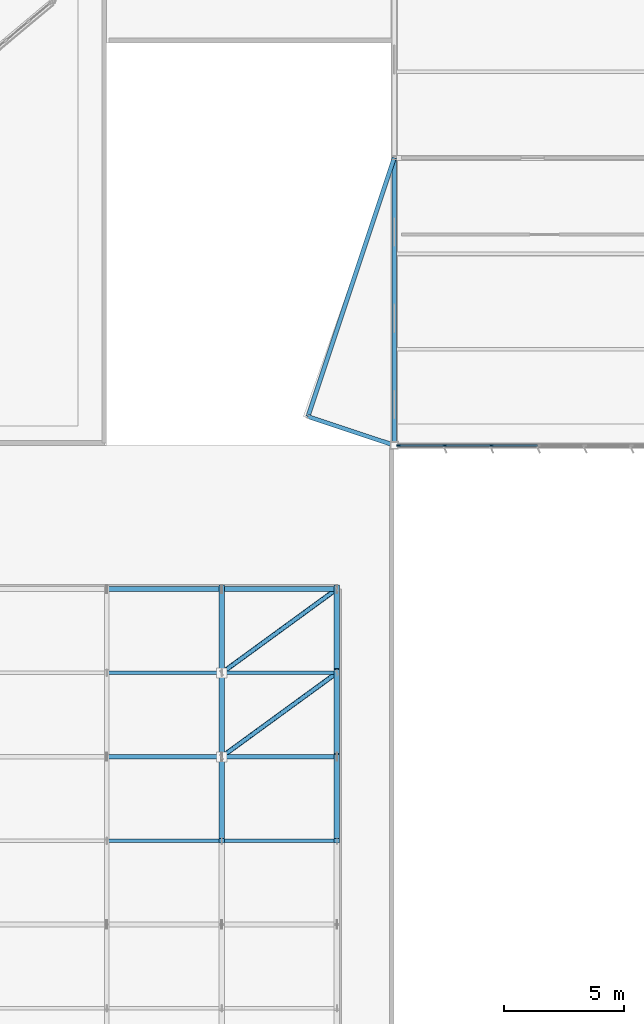
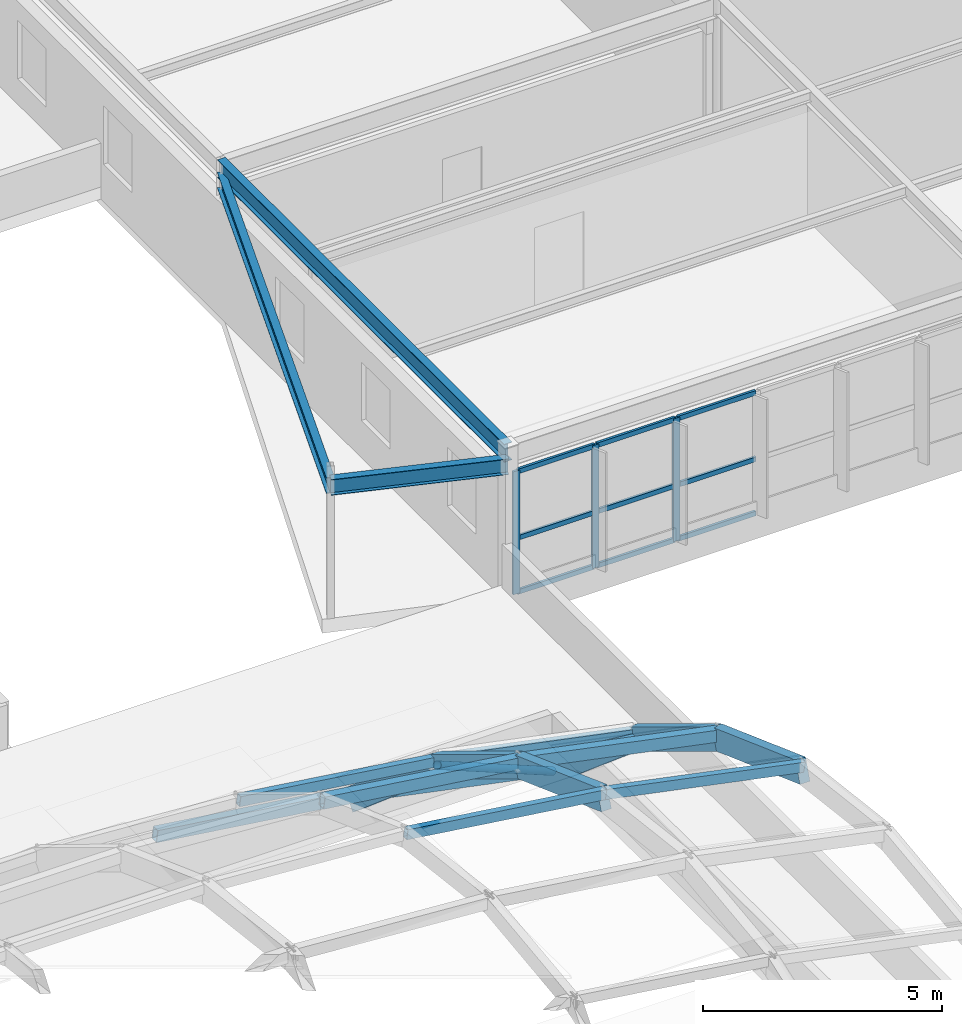
# One storey, part 61 of 128: 28 members, 3 beams, 1 element without a shape of its own.
"""IFC4 building model written with IfcOpenShell, lengths in metres."""

from ifc_helpers import new_model, si_unit, direction, frame, origin, origin_2d, place, context, subcontext, project, spatial, rectangle, hollow_rectangle, hollow_circle, i_section, extrude, material, layer, layer_set, material_profile, profile_set, type_object, element, aggregate, save


model = new_model("IFC4")

# Units and contexts
model_context = context("Model", 3, precision=1e-05, world=origin(), true_north=direction((0.0, 1.0)))
body_context = subcontext(model_context, "Body", "Model", "MODEL_VIEW")
ifc_project = project(units=[si_unit("LENGTHUNIT", "METRE"), si_unit("AREAUNIT", "SQUARE_METRE"), si_unit("VOLUMEUNIT", "CUBIC_METRE"), si_unit("PLANEANGLEUNIT", "RADIAN"), si_unit("MASSUNIT", "GRAM", prefix="KILO")], contexts=[model_context])

# Site, building, storey
site_placement = place(None, origin())
site = spatial("IfcSite", under=ifc_project, at=site_placement, CompositionType="ELEMENT")
building_placement = place(site_placement, origin())
building = spatial("IfcBuilding", under=site, at=building_placement, Name="Tarnwether General Hospital", CompositionType="ELEMENT")
storey_placement = place(building_placement, frame((0.0, 0.0, 14.39990234375)))
storey = spatial("IfcBuildingStorey", under=building, at=storey_placement, Name="L03", CompositionType="ELEMENT", Elevation=14.39990234375)

# Beams
ifc_material_1 = material(Name="Steel Grade 350 (350 MPa)", Category="steel")
ifc_material_profile_1 = material_profile(ifc_material_1, i_section(OverallWidth=0.18994140625, OverallDepth=0.45703125, WebThickness=0.009033203125, FlangeThickness=0.014404296875, at=origin_2d()), Name="460UB74.6")
ifc_profile_set_1 = profile_set([ifc_material_profile_1], Name="Steel Grade 350 (350 MPa)")
beam_type_1 = type_object("IfcBeamType", Name="BM-G09", PredefinedType="BEAM", material=ifc_profile_set_1)
beam_1_placement = place(storey_placement, frame((144.0, 81.60009765625, 3.671630859375), z_axis=(0.0, 1.0, 0.0), x_axis=(-1.0, 0.0, 0.0)))
element("IfcBeam", 1, at=beam_1_placement, inside=storey, type_object=beam_type_1, Name="Primary Girder BMG-L03-14400_8160-14400_9360-1764", PredefinedType="BEAM", context=body_context, shape_type="SweptSolid", body=[
    extrude(i_section(OverallWidth=0.18994140625, OverallDepth=0.45703125, WebThickness=0.009033203125, FlangeThickness=0.014404296875, at=origin_2d()), origin(), (0.0, 0.0, 1.0), 12.0),
])
ifc_material_2 = material(Name="Steel Grade 350 (350 MPa)", Category="steel")
ifc_material_profile_2 = material_profile(ifc_material_2, i_section(OverallWidth=0.177978515625, OverallDepth=0.403076171875, WebThickness=0.007568359375, FlangeThickness=0.010986328125, at=origin_2d()), Name="410UB53.7")
ifc_profile_set_2 = profile_set([ifc_material_profile_2], Name="Steel Grade 350 (350 MPa)")
beam_type_2 = type_object("IfcBeamType", Name="BM-SP2", PredefinedType="SPANDREL", material=ifc_profile_set_2)
beam_2_placement = place(storey_placement, frame((144.0, 81.60009765625, 3.358642578125), z_axis=(-0.948689731394, 0.316208465333, 0.0), x_axis=(-0.316208465333, -0.948689731394, 0.0)))
element("IfcBeam", 2, at=beam_2_placement, inside=storey, type_object=beam_type_2, Name="Forecourt North Shard Tie BMG-L03-14400_8160-14040_8280-2238", PredefinedType="SPANDREL", context=body_context, shape_type="SweptSolid", body=[
    extrude(i_section(OverallWidth=0.177978515625, OverallDepth=0.403076171875, WebThickness=0.007568359375, FlangeThickness=0.010986328125, at=origin_2d()), origin(), (0.0, 0.0, 1.0), 3.794921875),
])
beam_3_placement = place(storey_placement, frame((140.39990234375, 82.800048828125, 3.358642578125), z_axis=(0.316234199636, 0.948681153486, 0.0), x_axis=(-0.948681153486, 0.316234199636, 0.0)))
element("IfcBeam", 3, at=beam_3_placement, inside=storey, type_object=beam_type_2, Name="Forecourt North Shard Girder BMG-L03-14040_8280-14400_9360-2239", PredefinedType="SPANDREL", context=body_context, shape_type="SweptSolid", body=[
    extrude(i_section(OverallWidth=0.177978515625, OverallDepth=0.403076171875, WebThickness=0.007568359375, FlangeThickness=0.010986328125, at=origin_2d()), origin(), (0.0, 0.0, 1.0), 11.38427734375),
])

# Curtain wall, members
ifc_material_3 = material(Name="Anodised aluminium", Category="aluminium")
ifc_layer = layer(ifc_material_3, 0.159912109375)
ifc_layer_set = layer_set([ifc_layer], Name="Anodised aluminium")
curtain_wall_type = type_object("IfcCurtainWallType", Name="CW-17", PredefinedType="NOTDEFINED", material=ifc_layer_set)
curtain_wall_placement = place(storey_placement, origin())
curtain_wall = element("IfcCurtainWall", 4, at=curtain_wall_placement, inside=storey, type_object=curtain_wall_type, Name="Curtain Wall CWG-L03-1559_816-0487", PredefinedType="NOTDEFINED")
ifc_material_4 = material(Name="Anodised aluminium", Category="aluminium")
ifc_material_profile_3 = material_profile(ifc_material_4, rectangle(XDim=0.06005859375, YDim=0.159912109375, at=origin_2d()), Name="ALU-MUL-60x160")
ifc_profile_set_3 = profile_set([ifc_material_profile_3], Name="Anodised aluminium")
member_type_1 = type_object("IfcMemberType", Name="CW-ML1", PredefinedType="MULLION", material=ifc_profile_set_3)
member_1_placement = place(storey_placement, frame((148.056884765625, 81.60009765625, 0.0), z_axis=(0.0, 0.0, 1.0), x_axis=(0.0, -1.0, 0.0)))
member_1 = element("IfcMember", 5, at=member_1_placement, type_object=member_type_1, Name="CW-17 mullion 5", PredefinedType="MULLION", context=body_context, shape_type="SweptSolid", body=[
    extrude(rectangle(XDim=0.06005859375, YDim=0.159912109375, at=origin_2d()), origin(), (0.0, 0.0, 1.0), 3.14208984375),
])
member_2_placement = place(storey_placement, frame((146.107421875, 81.60009765625, 0.0), z_axis=(0.0, 0.0, 1.0), x_axis=(0.0, -1.0, 0.0)))
member_2 = element("IfcMember", 6, at=member_2_placement, type_object=member_type_1, Name="CW-17 mullion 6", PredefinedType="MULLION", context=body_context, shape_type="SweptSolid", body=[
    extrude(rectangle(XDim=0.06005859375, YDim=0.159912109375, at=origin_2d()), origin(), (0.0, 0.0, 1.0), 3.14208984375),
])
member_3_placement = place(storey_placement, frame((144.18798828125, 81.60009765625, 0.0), z_axis=(0.0, 0.0, 1.0), x_axis=(0.0, -1.0, 0.0)))
member_3 = element("IfcMember", 7, at=member_3_placement, type_object=member_type_1, Name="CW-17 mullion 7", PredefinedType="MULLION", context=body_context, shape_type="SweptSolid", body=[
    extrude(rectangle(XDim=0.06005859375, YDim=0.159912109375, at=origin_2d()), origin(), (0.0, 0.0, 1.0), 3.14208984375),
])
ifc_material_5 = material(Name="Anodised aluminium", Category="aluminium")
ifc_material_profile_4 = material_profile(ifc_material_5, rectangle(XDim=0.06005859375, YDim=0.1201171875, at=origin_2d()), Name="ALU-TRN-60x120")
ifc_profile_set_4 = profile_set([ifc_material_profile_4], Name="Anodised aluminium")
member_type_2 = type_object("IfcMemberType", Name="CW-TR1", PredefinedType="USERDEFINED", material=ifc_profile_set_4)
member_4_placement = place(storey_placement, frame((149.9765625, 81.60009765625, 0.030029296875), z_axis=(-1.0, 0.0, 0.0), x_axis=(0.0, -1.0, 0.0)))
member_4 = element("IfcMember", 8, at=member_4_placement, type_object=member_type_2, Name="CW-17 transom 4.1", ObjectType="TRANSOM", PredefinedType="USERDEFINED", context=body_context, shape_type="SweptSolid", body=[
    extrude(rectangle(XDim=0.06005859375, YDim=0.1201171875, at=origin_2d()), origin(), (0.0, 0.0, 1.0), 1.8896484375),
])
member_5_placement = place(storey_placement, frame((149.9765625, 81.60009765625, 1.4140625), z_axis=(-1.0, 0.0, 0.0), x_axis=(0.0, -1.0, 0.0)))
member_5 = element("IfcMember", 9, at=member_5_placement, type_object=member_type_2, Name="CW-17 transom 4.2", ObjectType="TRANSOM", PredefinedType="USERDEFINED", context=body_context, shape_type="SweptSolid", body=[
    extrude(rectangle(XDim=0.06005859375, YDim=0.1201171875, at=origin_2d()), origin(), (0.0, 0.0, 1.0), 1.8896484375),
])
member_6_placement = place(storey_placement, frame((149.9765625, 81.60009765625, 3.112060546875), z_axis=(-1.0, 0.0, 0.0), x_axis=(0.0, -1.0, 0.0)))
member_6 = element("IfcMember", 10, at=member_6_placement, type_object=member_type_2, Name="CW-17 transom 4.3", ObjectType="TRANSOM", PredefinedType="USERDEFINED", context=body_context, shape_type="SweptSolid", body=[
    extrude(rectangle(XDim=0.06005859375, YDim=0.1201171875, at=origin_2d()), origin(), (0.0, 0.0, 1.0), 1.8896484375),
])
member_7_placement = place(storey_placement, frame((148.027099609375, 81.60009765625, 0.030029296875), z_axis=(-1.0, 0.0, 0.0), x_axis=(0.0, -1.0, 0.0)))
member_7 = element("IfcMember", 11, at=member_7_placement, type_object=member_type_2, Name="CW-17 transom 5.1", ObjectType="TRANSOM", PredefinedType="USERDEFINED", context=body_context, shape_type="SweptSolid", body=[
    extrude(rectangle(XDim=0.06005859375, YDim=0.1201171875, at=origin_2d()), origin(), (0.0, 0.0, 1.0), 1.8896484375),
])
member_8_placement = place(storey_placement, frame((148.027099609375, 81.60009765625, 1.4140625), z_axis=(-1.0, 0.0, 0.0), x_axis=(0.0, -1.0, 0.0)))
member_8 = element("IfcMember", 12, at=member_8_placement, type_object=member_type_2, Name="CW-17 transom 5.2", ObjectType="TRANSOM", PredefinedType="USERDEFINED", context=body_context, shape_type="SweptSolid", body=[
    extrude(rectangle(XDim=0.06005859375, YDim=0.1201171875, at=origin_2d()), origin(), (0.0, 0.0, 1.0), 1.8896484375),
])
member_9_placement = place(storey_placement, frame((148.027099609375, 81.60009765625, 3.112060546875), z_axis=(-1.0, 0.0, 0.0), x_axis=(0.0, -1.0, 0.0)))
member_9 = element("IfcMember", 13, at=member_9_placement, type_object=member_type_2, Name="CW-17 transom 5.3", ObjectType="TRANSOM", PredefinedType="USERDEFINED", context=body_context, shape_type="SweptSolid", body=[
    extrude(rectangle(XDim=0.06005859375, YDim=0.1201171875, at=origin_2d()), origin(), (0.0, 0.0, 1.0), 1.8896484375),
])
member_10_placement = place(storey_placement, frame((146.077392578125, 81.60009765625, 0.030029296875), z_axis=(-1.0, 0.0, 0.0), x_axis=(0.0, -1.0, 0.0)))
member_10 = element("IfcMember", 14, at=member_10_placement, type_object=member_type_2, Name="CW-17 transom 6.1", ObjectType="TRANSOM", PredefinedType="USERDEFINED", context=body_context, shape_type="SweptSolid", body=[
    extrude(rectangle(XDim=0.06005859375, YDim=0.1201171875, at=origin_2d()), origin(), (0.0, 0.0, 1.0), 1.859375),
])
member_11_placement = place(storey_placement, frame((146.077392578125, 81.60009765625, 1.4140625), z_axis=(-1.0, 0.0, 0.0), x_axis=(0.0, -1.0, 0.0)))
member_11 = element("IfcMember", 15, at=member_11_placement, type_object=member_type_2, Name="CW-17 transom 6.2", ObjectType="TRANSOM", PredefinedType="USERDEFINED", context=body_context, shape_type="SweptSolid", body=[
    extrude(rectangle(XDim=0.06005859375, YDim=0.1201171875, at=origin_2d()), origin(), (0.0, 0.0, 1.0), 1.859375),
])
member_12_placement = place(storey_placement, frame((146.077392578125, 81.60009765625, 3.112060546875), z_axis=(-1.0, 0.0, 0.0), x_axis=(0.0, -1.0, 0.0)))
member_12 = element("IfcMember", 16, at=member_12_placement, type_object=member_type_2, Name="CW-17 transom 6.3", ObjectType="TRANSOM", PredefinedType="USERDEFINED", context=body_context, shape_type="SweptSolid", body=[
    extrude(rectangle(XDim=0.06005859375, YDim=0.1201171875, at=origin_2d()), origin(), (0.0, 0.0, 1.0), 1.859375),
])
aggregate(curtain_wall, [member_1, member_2, member_3, member_4, member_5, member_6, member_7, member_8, member_9, member_10, member_11, member_12])

# Members
ifc_material_6 = material(Name="Steel Grade C350L0 (350 MPa)", Category="steel")
ifc_material_profile_5 = material_profile(ifc_material_6, hollow_circle(Radius=0.096923828125, WallThickness=0.008056640625, at=origin_2d()), Name="CHS193.7x8.0")
ifc_profile_set_5 = profile_set([ifc_material_profile_5], Name="Steel Grade C350L0 (350 MPa)")
member_type_3 = type_object("IfcMemberType", Name="MB-BR5", PredefinedType="BRACE", material=ifc_profile_set_5)
member_13_placement = place(storey_placement, frame((136.800048828125, 68.60009765625, 6.07958984375), z_axis=(0.716119445124, 0.522165116998, -0.46315929323), x_axis=(-0.589168244541, 0.808010383365, 0.0)))
element("IfcMember", 17, at=member_13_placement, inside=storey, type_object=member_type_3, Name="Gridshell Shell Brace 134", PredefinedType="BRACE", context=body_context, shape_type="SweptSolid", body=[
    extrude(hollow_circle(Radius=0.096923828125, WallThickness=0.008056640625, at=origin_2d()), origin(), (0.0, 0.0, 1.0), 6.702880859375),
])
member_14_placement = place(storey_placement, frame((136.800048828125, 72.10009765625, 3.95458984375), z_axis=(0.672607981654, 0.490438330959, -0.554137840742), x_axis=(-0.589168244541, 0.808010383365, 0.0)))
element("IfcMember", 18, at=member_14_placement, inside=storey, type_object=member_type_3, Name="Gridshell Shell Brace 135", PredefinedType="BRACE", context=body_context, shape_type="SweptSolid", body=[
    extrude(hollow_circle(Radius=0.096923828125, WallThickness=0.008056640625, at=origin_2d()), origin(), (0.0, 0.0, 1.0), 7.136474609375),
])
ifc_material_7 = material(Name="Glulam GL12", Category="wood")
ifc_material_profile_6 = material_profile(ifc_material_7, rectangle(XDim=0.239990234375, YDim=0.5400390625, at=origin_2d()), Name="GL12-240x540")
ifc_profile_set_6 = profile_set([ifc_material_profile_6], Name="Glulam GL12")
member_type_4 = type_object("IfcMemberType", Name="MB-GS1", PredefinedType="CHORD", material=ifc_profile_set_6)
member_15_placement = place(storey_placement, frame((136.800048828125, 65.10009765625, 7.354736328125), z_axis=(0.0, 0.939584667872, -0.342316596003), x_axis=(-1.0, 0.0, 0.0)))
element("IfcMember", 19, at=member_15_placement, inside=storey, type_object=member_type_4, Name="Gridshell Glulam Arch Chord 054", PredefinedType="CHORD", context=body_context, shape_type="SweptSolid", body=[
    extrude(rectangle(XDim=0.239990234375, YDim=0.5400390625, at=origin_2d()), origin(), (0.0, 0.0, 1.0), 3.72509765625),
])
member_16_placement = place(storey_placement, frame((136.800048828125, 68.60009765625, 6.07958984375), z_axis=(0.0, 0.854787515222, -0.518978134242), x_axis=(-1.0, 0.0, 0.0)))
element("IfcMember", 20, at=member_16_placement, inside=storey, type_object=member_type_4, Name="Gridshell Glulam Arch Chord 055", PredefinedType="CHORD", context=body_context, shape_type="SweptSolid", body=[
    extrude(rectangle(XDim=0.239990234375, YDim=0.5400390625, at=origin_2d()), origin(), (0.0, 0.0, 1.0), 4.094482421875),
])
member_17_placement = place(storey_placement, frame((136.800048828125, 72.10009765625, 3.95458984375), z_axis=(0.0, 0.761955054185, -0.647629906198), x_axis=(-1.0, 0.0, 0.0)))
element("IfcMember", 21, at=member_17_placement, inside=storey, type_object=member_type_4, Name="Gridshell Glulam Arch Chord 056", PredefinedType="CHORD", context=body_context, shape_type="SweptSolid", body=[
    extrude(rectangle(XDim=0.239990234375, YDim=0.5400390625, at=origin_2d()), origin(), (0.0, 0.0, 1.0), 4.593505859375),
])
member_18_placement = place(storey_placement, frame((141.60009765625, 65.10009765625, 6.375), z_axis=(0.0, 0.939605746622, -0.342258733877), x_axis=(-1.0, 0.0, 0.0)))
element("IfcMember", 22, at=member_18_placement, inside=storey, type_object=member_type_4, Name="Gridshell Glulam Arch Chord 062", PredefinedType="CHORD", context=body_context, shape_type="SweptSolid", body=[
    extrude(rectangle(XDim=0.239990234375, YDim=0.5400390625, at=origin_2d()), origin(), (0.0, 0.0, 1.0), 3.724853515625),
])
member_19_placement = place(storey_placement, frame((141.60009765625, 68.60009765625, 5.10009765625), z_axis=(0.0, 0.854787515222, -0.518978134242), x_axis=(-1.0, 0.0, 0.0)))
element("IfcMember", 23, at=member_19_placement, inside=storey, type_object=member_type_4, Name="Gridshell Glulam Arch Chord 063", PredefinedType="CHORD", context=body_context, shape_type="SweptSolid", body=[
    extrude(rectangle(XDim=0.239990234375, YDim=0.5400390625, at=origin_2d()), origin(), (0.0, 0.0, 1.0), 4.094482421875),
])
member_20_placement = place(storey_placement, frame((141.60009765625, 72.10009765625, 2.97509765625), z_axis=(0.0, 0.76192882692, -0.647660762057), x_axis=(-1.0, 0.0, 0.0)))
element("IfcMember", 24, at=member_20_placement, inside=storey, type_object=member_type_4, Name="Gridshell Glulam Arch Chord 064", PredefinedType="CHORD", context=body_context, shape_type="SweptSolid", body=[
    extrude(rectangle(XDim=0.239990234375, YDim=0.5400390625, at=origin_2d()), origin(), (0.0, 0.0, 1.0), 4.593505859375),
])
ifc_material_8 = material(Name="Steel Grade C350L0 (350 MPa)", Category="steel")
ifc_material_profile_7 = material_profile(ifc_material_8, hollow_rectangle(XDim=0.199951171875, YDim=0.300048828125, WallThickness=0.012451171875, at=origin_2d()), Name="RHS300x200x12.5")
ifc_profile_set_7 = profile_set([ifc_material_profile_7], Name="Steel Grade C350L0 (350 MPa)")
member_type_5 = type_object("IfcMemberType", Name="MB-GS3", PredefinedType="CHORD", material=ifc_profile_set_7)
member_21_placement = place(storey_placement, frame((132.0, 68.60009765625, 6.8427734375), z_axis=(0.990870911369, 0.0, -0.134814083104), x_axis=(0.0, 1.0, 0.0)))
element("IfcMember", 25, at=member_21_placement, inside=storey, type_object=member_type_5, Name="Gridshell Steel Longitudinal Chord 112", PredefinedType="CHORD", context=body_context, shape_type="SweptSolid", body=[
    extrude(hollow_rectangle(XDim=0.199951171875, YDim=0.300048828125, WallThickness=0.012451171875, at=origin_2d()), origin(), (0.0, 0.0, 1.0), 4.84423828125),
])
member_22_placement = place(storey_placement, frame((136.800048828125, 68.60009765625, 6.189697265625), z_axis=(0.979808442283, 0.0, -0.199938531633), x_axis=(0.0, 1.0, 0.0)))
element("IfcMember", 26, at=member_22_placement, inside=storey, type_object=member_type_5, Name="Gridshell Steel Longitudinal Chord 113", PredefinedType="CHORD", context=body_context, shape_type="SweptSolid", body=[
    extrude(hollow_rectangle(XDim=0.199951171875, YDim=0.300048828125, WallThickness=0.012451171875, at=origin_2d()), origin(), (0.0, 0.0, 1.0), 4.89892578125),
])
member_23_placement = place(storey_placement, frame((132.0, 75.60009765625, 1.74267578125), z_axis=(0.990870911369, 0.0, -0.134814083104), x_axis=(0.0, 1.0, 0.0)))
element("IfcMember", 27, at=member_23_placement, inside=storey, type_object=member_type_5, Name="Gridshell Steel Longitudinal Chord 126", PredefinedType="CHORD", context=body_context, shape_type="SweptSolid", body=[
    extrude(hollow_rectangle(XDim=0.199951171875, YDim=0.300048828125, WallThickness=0.012451171875, at=origin_2d()), origin(), (0.0, 0.0, 1.0), 4.84423828125),
])
member_24_placement = place(storey_placement, frame((136.800048828125, 75.60009765625, 1.089599609375), z_axis=(0.979808442283, 0.0, -0.199938531633), x_axis=(0.0, 1.0, 0.0)))
element("IfcMember", 28, at=member_24_placement, inside=storey, type_object=member_type_5, Name="Gridshell Steel Longitudinal Chord 127", PredefinedType="CHORD", context=body_context, shape_type="SweptSolid", body=[
    extrude(hollow_rectangle(XDim=0.199951171875, YDim=0.300048828125, WallThickness=0.012451171875, at=origin_2d()), origin(), (0.0, 0.0, 1.0), 4.89892578125),
])
ifc_material_9 = material(Name="Steel Grade C350L0 (350 MPa)", Category="steel")
ifc_material_profile_8 = material_profile(ifc_material_9, hollow_rectangle(XDim=0.14990234375, YDim=0.25, WallThickness=0.010009765625, at=origin_2d()), Name="RHS250x150x10")
ifc_profile_set_8 = profile_set([ifc_material_profile_8], Name="Steel Grade C350L0 (350 MPa)")
member_type_6 = type_object("IfcMemberType", Name="MB-GS4", PredefinedType="CHORD", material=ifc_profile_set_8)
member_25_placement = place(storey_placement, frame((132.0, 65.10009765625, 8.142822265625), z_axis=(0.990870911369, 0.0, -0.134814083104), x_axis=(0.0, 1.0, 0.0)))
element("IfcMember", 29, at=member_25_placement, inside=storey, type_object=member_type_6, Name="Gridshell Steel Longitudinal Chord 105", PredefinedType="CHORD", context=body_context, shape_type="SweptSolid", body=[
    extrude(hollow_rectangle(XDim=0.14990234375, YDim=0.25, WallThickness=0.010009765625, at=origin_2d()), origin(), (0.0, 0.0, 1.0), 4.84423828125),
])
member_26_placement = place(storey_placement, frame((136.800048828125, 65.10009765625, 7.48974609375), z_axis=(0.979798678438, 0.0, -0.199986373866), x_axis=(0.0, 1.0, 0.0)))
element("IfcMember", 30, at=member_26_placement, inside=storey, type_object=member_type_6, Name="Gridshell Steel Longitudinal Chord 106", PredefinedType="CHORD", context=body_context, shape_type="SweptSolid", body=[
    extrude(hollow_rectangle(XDim=0.14990234375, YDim=0.25, WallThickness=0.010009765625, at=origin_2d()), origin(), (0.0, 0.0, 1.0), 4.89892578125),
])
member_27_placement = place(storey_placement, frame((132.0, 72.10009765625, 4.74267578125), z_axis=(0.990870911369, 0.0, -0.134814083104), x_axis=(0.0, 1.0, 0.0)))
element("IfcMember", 31, at=member_27_placement, inside=storey, type_object=member_type_6, Name="Gridshell Steel Longitudinal Chord 119", PredefinedType="CHORD", context=body_context, shape_type="SweptSolid", body=[
    extrude(hollow_rectangle(XDim=0.14990234375, YDim=0.25, WallThickness=0.010009765625, at=origin_2d()), origin(), (0.0, 0.0, 1.0), 4.84423828125),
])
member_28_placement = place(storey_placement, frame((136.800048828125, 72.10009765625, 4.089599609375), z_axis=(0.979808442283, 0.0, -0.199938531633), x_axis=(0.0, 1.0, 0.0)))
element("IfcMember", 32, at=member_28_placement, inside=storey, type_object=member_type_6, Name="Gridshell Steel Longitudinal Chord 120", PredefinedType="CHORD", context=body_context, shape_type="SweptSolid", body=[
    extrude(hollow_rectangle(XDim=0.14990234375, YDim=0.25, WallThickness=0.010009765625, at=origin_2d()), origin(), (0.0, 0.0, 1.0), 4.89892578125),
])

save(model, "model.ifc")
